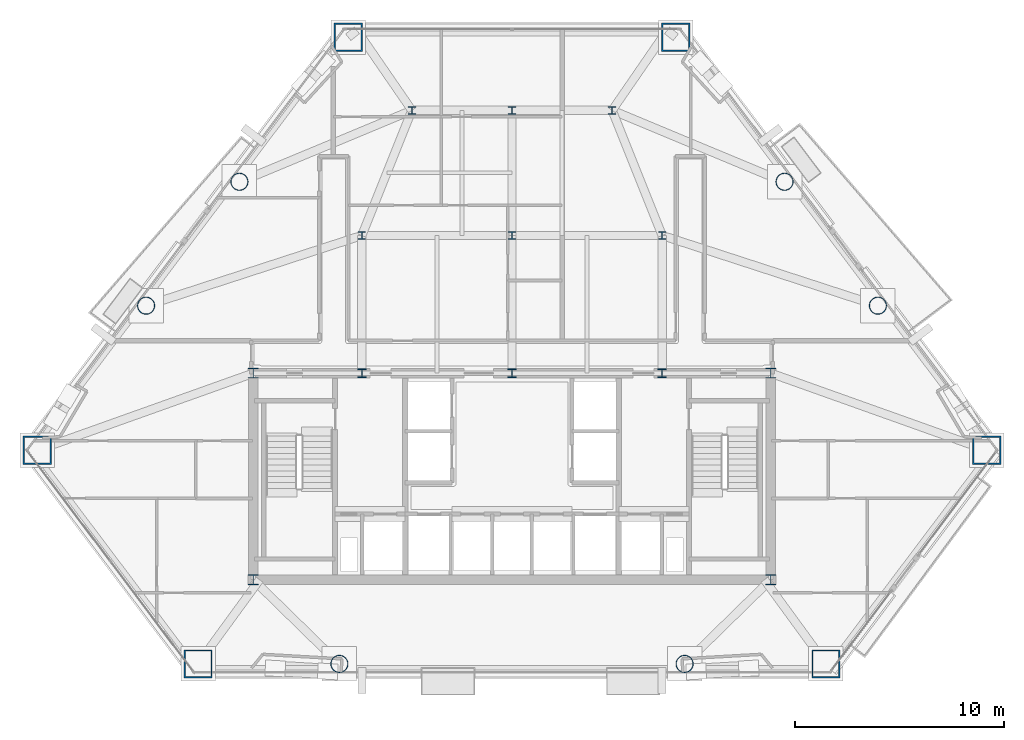
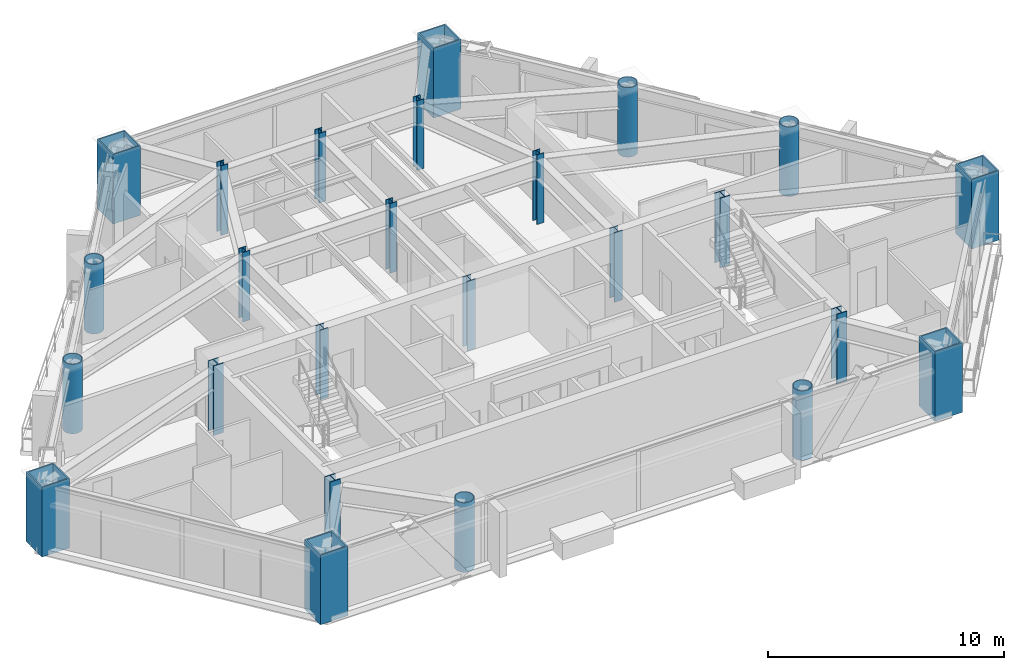
# One storey, part 1 of 10: 25 columns.
"""IFC4 building model written with IfcOpenShell, lengths in metres."""

from ifc_helpers import new_model, si_unit, direction, frame, origin, origin_2d, place, context, subcontext, project, spatial, hollow_rectangle, hollow_circle, i_section, extrude, material, material_profile, profile_set, type_object, element, save


model = new_model("IFC4")

# Units and contexts
model_context = context("Model", 3, precision=1e-05, world=origin(), true_north=direction((0.0, 1.0)))
body_context = subcontext(model_context, "Body", "Model", "MODEL_VIEW")
ifc_project = project(units=[si_unit("LENGTHUNIT", "METRE"), si_unit("AREAUNIT", "SQUARE_METRE"), si_unit("VOLUMEUNIT", "CUBIC_METRE"), si_unit("PLANEANGLEUNIT", "RADIAN"), si_unit("MASSUNIT", "GRAM", prefix="KILO")], contexts=[model_context])

# Site, building, storey
site_placement = place(None, origin())
site = spatial("IfcSite", under=ifc_project, at=site_placement, CompositionType="ELEMENT")
building_placement = place(site_placement, origin())
building = spatial("IfcBuilding", under=site, at=building_placement, Name="Talgorran Terracotta Tower", CompositionType="ELEMENT")
storey_placement = place(building_placement, frame((0.0, 0.0, 49.5)))
storey = spatial("IfcBuildingStorey", under=building, at=storey_placement, Name="L12", CompositionType="ELEMENT", Elevation=49.5)

# Columns
ifc_material_1 = material(Name="Steel S355 (300PLUS)", Category="steel")
ifc_material_profile_1 = material_profile(ifc_material_1, i_section(OverallWidth=0.35009765625, OverallDepth=0.366943359375, WebThickness=0.02490234375, FlangeThickness=0.031982421875, at=origin_2d()), Name="350WC258")
ifc_profile_set_1 = profile_set([ifc_material_profile_1], Name="Steel S355 (300PLUS)")
column_type_1 = type_object("IfcColumnType", Name="COL_350WC258", PredefinedType="COLUMN", material=ifc_profile_set_1)
for number, where, z_axis, x_axis, name in (
    (1, (-7.199951171875, 2.39990234375, 0.0), (0.0, 0.0, 1.0), (1.0, 0.0, 0.0), "L12 Interior Gravity Column IC1"),
    (2, (0.0, 2.39990234375, 0.0), (0.0, 0.0, 1.0), (1.0, 0.0, 0.0), "L12 Interior Gravity Column IC2"),
    (3, (7.199951171875, 2.39990234375, 0.0), (0.0, 0.0, 1.0), (1.0, 0.0, 0.0), "L12 Interior Gravity Column IC3"),
    (4, (-4.800048828125, 8.39990234375, 0.0), (0.0, 0.0, 1.0), (1.0, 0.0, 0.0), "L12 Interior Gravity Column IC4"),
    (5, (0.0, 8.39990234375, 0.0), (0.0, 0.0, 1.0), (1.0, 0.0, 0.0), "L12 Interior Gravity Column IC5"),
    (6, (4.800048828125, 8.39990234375, 0.0), (0.0, 0.0, 1.0), (1.0, 0.0, 0.0), "L12 Interior Gravity Column IC6"),
):
    element("IfcColumn", number, at=place(storey_placement, frame(where, z_axis=z_axis, x_axis=x_axis)), inside=storey, type_object=column_type_1, Name=name, PredefinedType="COLUMN", context=body_context, shape_type="SweptSolid", body=[
        extrude(i_section(OverallWidth=0.35009765625, OverallDepth=0.366943359375, WebThickness=0.02490234375, FlangeThickness=0.031982421875, at=origin_2d()), origin(), (0.0, 0.0, 1.0), 3.60009765625),
    ])
ifc_material_profile_2 = material_profile(ifc_material_1, i_section(OverallWidth=0.5, OverallDepth=0.48193359375, WebThickness=0.0400390625, FlangeThickness=0.044921875, at=origin_2d()), Name="500WC440")
ifc_profile_set_2 = profile_set([ifc_material_profile_2], Name="Steel S355 (300PLUS)")
column_type_2 = type_object("IfcColumnType", Name="COL_500WC440", PredefinedType="COLUMN", material=ifc_profile_set_2)
for number, where, z_axis, x_axis, name in (
    (7, (-12.39990234375, -14.10009765625, 0.0), (0.0, 0.0, 1.0), (1.0, 0.0, 0.0), "L12 Core Boundary Column CC1"),
    (8, (12.39990234375, -14.10009765625, 0.0), (0.0, 0.0, 1.0), (1.0, 0.0, 0.0), "L12 Core Boundary Column CC2"),
    (9, (12.39990234375, -4.199951171875, 0.0), (0.0, 0.0, 1.0), (1.0, 0.0, 0.0), "L12 Core Boundary Column CC3"),
    (10, (-12.39990234375, -4.199951171875, 0.0), (0.0, 0.0, 1.0), (1.0, 0.0, 0.0), "L12 Core Boundary Column CC4"),
):
    element("IfcColumn", number, at=place(storey_placement, frame(where, z_axis=z_axis, x_axis=x_axis)), inside=storey, type_object=column_type_2, Name=name, PredefinedType="COLUMN", context=body_context, shape_type="SweptSolid", body=[
        extrude(i_section(OverallWidth=0.5, OverallDepth=0.48193359375, WebThickness=0.0400390625, FlangeThickness=0.044921875, at=origin_2d()), origin(), (0.0, 0.0, 1.0), 3.60009765625),
    ])
ifc_material_2 = material(Name="Steel Grade 350 (350L0)", Category="steel")
ifc_material_profile_3 = material_profile(ifc_material_2, hollow_rectangle(XDim=1.35009765625, YDim=1.35009765625, WallThickness=0.06494140625, at=origin_2d()), Name="CFT1350X1350X65")
ifc_profile_set_3 = profile_set([ifc_material_profile_3], Name="Steel Grade 350 (350L0)")
column_type_3 = type_object("IfcColumnType", Name="COL_CFT_1350", PredefinedType="COLUMN", material=ifc_profile_set_3)
for number, where, z_axis, x_axis, name in (
    (11, (-22.759033203125, -7.892333984375, 0.0), (0.0, 0.0, 1.0), (1.0, 0.0, 0.0), "L12 Corner CFT Mega-Column MC1"),
    (12, (-15.0439453125, -18.135498046875, 0.0), (0.0, 0.0, 1.0), (1.0, 0.0, 0.0), "L12 Corner CFT Mega-Column MC2"),
    (13, (15.0439453125, -18.135498046875, 0.0), (0.0, 0.0, 1.0), (1.0, 0.0, 0.0), "L12 Corner CFT Mega-Column MC3"),
    (14, (22.759033203125, -7.892333984375, 0.0), (0.0, 0.0, 1.0), (1.0, 0.0, 0.0), "L12 Corner CFT Mega-Column MC4"),
    (15, (7.847412109375, 11.90576171875, 0.0), (0.0, 0.0, 1.0), (1.0, 0.0, 0.0), "L12 Corner CFT Mega-Column MC5"),
    (16, (-7.847412109375, 11.90576171875, 0.0), (0.0, 0.0, 1.0), (1.0, 0.0, 0.0), "L12 Corner CFT Mega-Column MC6"),
):
    element("IfcColumn", number, at=place(storey_placement, frame(where, z_axis=z_axis, x_axis=x_axis)), inside=storey, type_object=column_type_3, Name=name, PredefinedType="COLUMN", context=body_context, shape_type="SweptSolid", body=[
        extrude(hollow_rectangle(XDim=1.35009765625, YDim=1.35009765625, WallThickness=0.06494140625, at=origin_2d()), origin(), (0.0, 0.0, 1.0), 3.60009765625),
    ])
ifc_material_profile_4 = material_profile(ifc_material_2, hollow_circle(Radius=0.425048828125, WallThickness=0.0380859375, at=origin_2d()), Name="CHS850X38")
ifc_profile_set_4 = profile_set([ifc_material_profile_4], Name="Steel Grade 350 (350L0)")
column_type_4 = type_object("IfcColumnType", Name="COL_CHS_850", PredefinedType="COLUMN", material=ifc_profile_set_4)
for number, where, z_axis, x_axis, name in (
    (17, (-8.274169921875, -18.135498046875, 0.0), (0.0, 0.0, 1.0), (1.0, 0.0, 0.0), "L12 Facet Perimeter Column FC1"),
    (18, (8.274169921875, -18.135498046875, 0.0), (0.0, 0.0, 1.0), (1.0, 0.0, 0.0), "L12 Facet Perimeter Column FC2"),
    (19, (17.539794921875, -0.963134765625, 0.0), (0.0, 0.0, 1.0), (1.0, 0.0, 0.0), "L12 Facet Perimeter Column FC3"),
    (20, (13.06640625, 4.976318359375, 0.0), (0.0, 0.0, 1.0), (1.0, 0.0, 0.0), "L12 Facet Perimeter Column FC4"),
    (21, (-13.06640625, 4.976318359375, 0.0), (0.0, 0.0, 1.0), (1.0, 0.0, 0.0), "L12 Facet Perimeter Column FC5"),
    (22, (-17.539794921875, -0.963134765625, 0.0), (0.0, 0.0, 1.0), (1.0, 0.0, 0.0), "L12 Facet Perimeter Column FC6"),
):
    element("IfcColumn", number, at=place(storey_placement, frame(where, z_axis=z_axis, x_axis=x_axis)), inside=storey, type_object=column_type_4, Name=name, PredefinedType="COLUMN", context=body_context, shape_type="SweptSolid", body=[
        extrude(hollow_circle(Radius=0.425048828125, WallThickness=0.0380859375, at=origin_2d()), origin(), (0.0, 0.0, 1.0), 3.60009765625),
    ])
ifc_material_profile_5 = material_profile(ifc_material_1, i_section(OverallWidth=0.405029296875, OverallDepth=0.4140625, WebThickness=0.02197265625, FlangeThickness=0.031982421875, at=origin_2d()), Name="400WC270")
ifc_profile_set_5 = profile_set([ifc_material_profile_5], Name="Steel S355 (300PLUS)")
column_type_5 = type_object("IfcColumnType", Name="COL_PIL_400WC270", PredefinedType="PILASTER", material=ifc_profile_set_5)
for number, where, z_axis, x_axis, name in (
    (23, (-7.199951171875, -4.199951171875, 0.0), (0.0, 0.0, 1.0), (1.0, 0.0, 0.0), "L12 Core Shear Pilaster CP1"),
    (24, (0.0, -4.199951171875, 0.0), (0.0, 0.0, 1.0), (1.0, 0.0, 0.0), "L12 Core Shear Pilaster CP2"),
    (25, (7.199951171875, -4.199951171875, 0.0), (0.0, 0.0, 1.0), (1.0, 0.0, 0.0), "L12 Core Shear Pilaster CP3"),
):
    element("IfcColumn", number, at=place(storey_placement, frame(where, z_axis=z_axis, x_axis=x_axis)), inside=storey, type_object=column_type_5, Name=name, PredefinedType="PILASTER", context=body_context, shape_type="SweptSolid", body=[
        extrude(i_section(OverallWidth=0.405029296875, OverallDepth=0.4140625, WebThickness=0.02197265625, FlangeThickness=0.031982421875, at=origin_2d()), origin(), (0.0, 0.0, 1.0), 3.60009765625),
    ])

save(model, "model.ifc")
